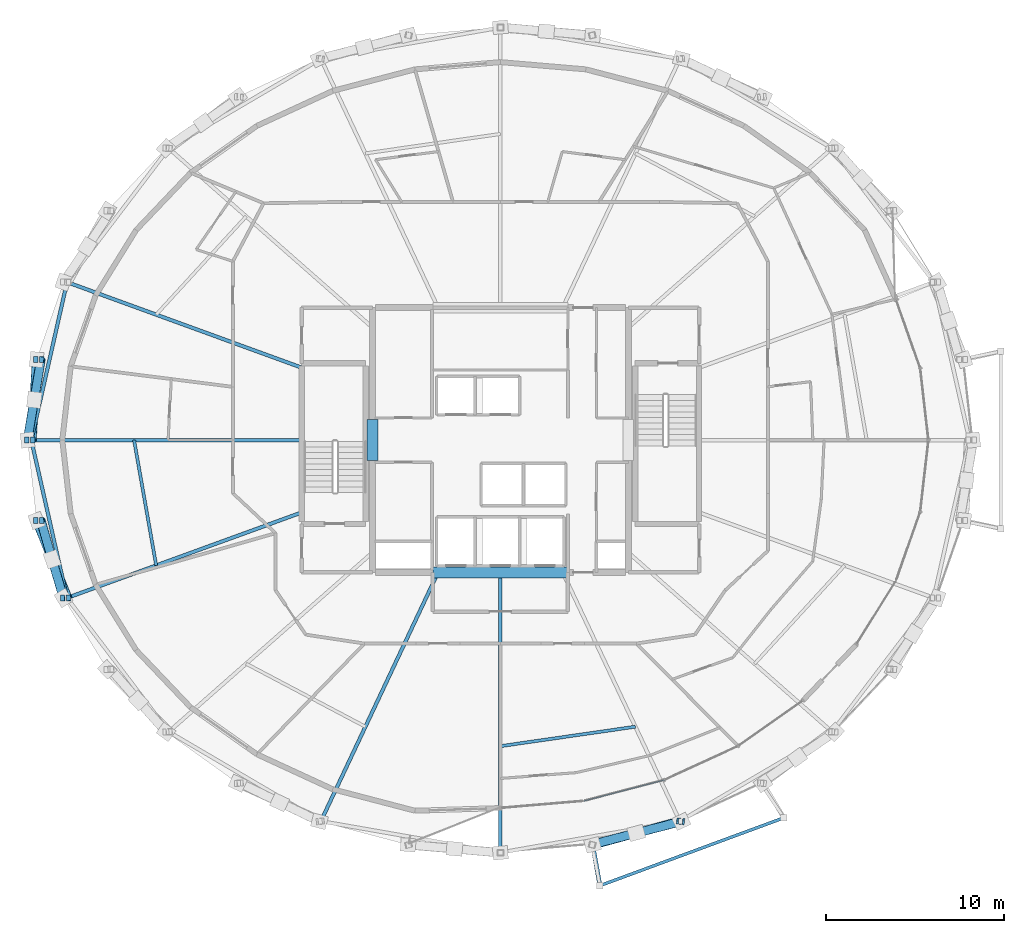
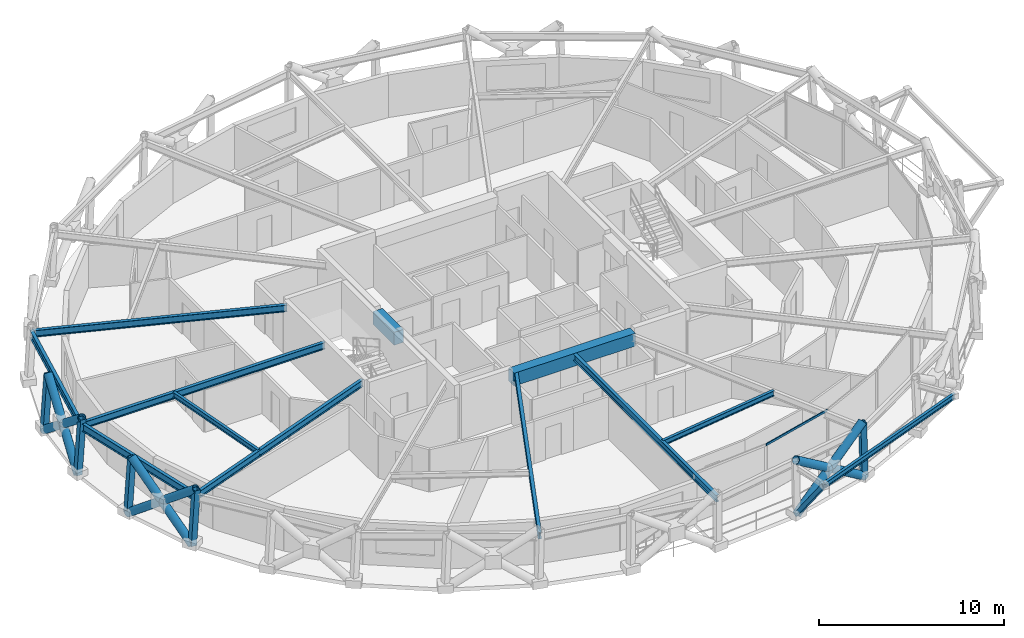
# One storey, part 3 of 17: 16 members, 12 beams, 1 element without a shape of its own.
"""IFC4 building model written with IfcOpenShell, lengths in metres."""

from ifc_helpers import new_model, si_unit, direction, frame, origin, origin_2d, place, context, subcontext, project, spatial, rectangle, hollow_rectangle, hollow_circle, i_section, extrude, material, layer, layer_set, material_profile, profile_set, type_object, element, aggregate, save


model = new_model("IFC4")

# Units and contexts
model_context = context("Model", 3, precision=1e-05, world=origin(), true_north=direction((0.0, 1.0)))
body_context = subcontext(model_context, "Body", "Model", "MODEL_VIEW")
ifc_project = project(units=[si_unit("LENGTHUNIT", "METRE"), si_unit("AREAUNIT", "SQUARE_METRE"), si_unit("VOLUMEUNIT", "CUBIC_METRE"), si_unit("PLANEANGLEUNIT", "RADIAN"), si_unit("MASSUNIT", "GRAM", prefix="KILO")], contexts=[model_context])

# Site, building, storey
site_placement = place(None, origin())
site = spatial("IfcSite", under=ifc_project, at=site_placement, CompositionType="ELEMENT")
building_placement = place(site_placement, origin())
building = spatial("IfcBuilding", under=site, at=building_placement, Name="Veldorina Hangang Commons", CompositionType="ELEMENT")
storey_placement = place(building_placement, frame((0.0, 0.0, 196.39990234375)))
storey = spatial("IfcBuildingStorey", under=building, at=storey_placement, Name="L51", CompositionType="ELEMENT", Elevation=196.39990234375)

# Beams
ifc_material_1 = material(Name="Concrete C60/75", Category="concrete")
ifc_material_profile_1 = material_profile(ifc_material_1, rectangle(XDim=0.60009765625, YDim=0.85009765625, at=origin_2d()), Name="RC-CB-600x850")
ifc_profile_set_1 = profile_set([ifc_material_profile_1], Name="Concrete C60/75")
beam_type_1 = type_object("IfcBeamType", Name="BM-CB850", PredefinedType="LINTEL", material=ifc_profile_set_1)
beam_1_placement = place(storey_placement, frame((24.800048828125, 22.85009765625, 2.925048828125), z_axis=(0.0, 1.0, 0.0), x_axis=(-1.0, 0.0, 0.0)))
element("IfcBeam", 1, at=beam_1_placement, inside=storey, type_object=beam_type_1, Name="L51 W core coupling lintel beam", PredefinedType="LINTEL", context=body_context, shape_type="SweptSolid", body=[
    extrude(rectangle(XDim=0.60009765625, YDim=0.85009765625, at=origin_2d()), origin(), (0.0, 0.0, 1.0), 2.2998046875),
])
beam_2_placement = place(storey_placement, frame((28.199951171875, 16.550048828125, 2.925048828125), z_axis=(1.0, 0.0, 0.0), x_axis=(0.0, 1.0, 0.0)))
element("IfcBeam", 2, at=beam_2_placement, inside=storey, type_object=beam_type_1, Name="L51 south core coupling beam", PredefinedType="LINTEL", context=body_context, shape_type="SweptSolid", body=[
    extrude(rectangle(XDim=0.60009765625, YDim=0.85009765625, at=origin_2d()), origin(), (0.0, 0.0, 1.0), 7.60009765625),
])
ifc_material_2 = material(Name="Steel SM355-TMC", Category="steel")
ifc_material_profile_2 = material_profile(ifc_material_2, i_section(OverallWidth=0.175048828125, OverallDepth=0.35009765625, WebThickness=0.007080078125, FlangeThickness=0.010986328125, FilletRadius=0.012939453125, at=origin_2d()), Name="H-350x175x7x11")
ifc_profile_set_2 = profile_set([ifc_material_profile_2], Name="Steel SM355-TMC")
beam_type_2 = type_object("IfcBeamType", Name="BM-FG350", PredefinedType="BEAM", material=ifc_profile_set_2)
beam_3_placement = place(storey_placement, frame((37.60107421875, -1.073974609375, 3.175048828125), z_axis=(0.938214579168, 0.346054046987, 0.0), x_axis=(-0.346054046987, 0.938214579168, 0.0)))
element("IfcBeam", 3, at=beam_3_placement, inside=storey, type_object=beam_type_2, Name="L52 tree balcony 1 outer rim beam", PredefinedType="BEAM", context=body_context, shape_type="SweptSolid", body=[
    extrude(i_section(OverallWidth=0.175048828125, OverallDepth=0.35009765625, WebThickness=0.007080078125, FlangeThickness=0.010986328125, FilletRadius=0.012939453125, at=origin_2d()), origin(), (0.0, 0.0, 1.0), 11.03125),
])
ifc_material_profile_3 = material_profile(ifc_material_2, i_section(OverallWidth=0.199951171875, OverallDepth=0.449951171875, WebThickness=0.009033203125, FlangeThickness=0.013916015625, FilletRadius=0.01611328125, at=origin_2d()), Name="H-450x200x9x14")
ifc_profile_set_3 = profile_set([ifc_material_profile_3], Name="Steel SM355-TMC")
beam_type_3 = type_object("IfcBeamType", Name="BM-FG450", PredefinedType="BEAM", material=ifc_profile_set_3)
beam_4_placement = place(storey_placement, frame((20.820068359375, 28.0732421875, 3.125), z_axis=(-0.939582271588, 0.34232317321, 0.0), x_axis=(-0.34232317321, -0.939582271588, 0.0)))
element("IfcBeam", 4, at=beam_4_placement, inside=storey, type_object=beam_type_3, Name="L51 radial floor girder 08", PredefinedType="BEAM", context=body_context, shape_type="SweptSolid", body=[
    extrude(i_section(OverallWidth=0.199951171875, OverallDepth=0.449951171875, WebThickness=0.009033203125, FlangeThickness=0.013916015625, FilletRadius=0.01611328125, at=origin_2d()), origin(), (0.0, 0.0, 1.0), 14.055419921875),
])
beam_5_placement = place(storey_placement, frame((20.820068359375, 24.0, 3.125), z_axis=(-1.0, 0.0, 0.0), x_axis=(0.0, -1.0, 0.0)))
element("IfcBeam", 5, at=beam_5_placement, inside=storey, type_object=beam_type_3, Name="L51 radial floor girder 09", PredefinedType="BEAM", context=body_context, shape_type="SweptSolid", body=[
    extrude(i_section(OverallWidth=0.199951171875, OverallDepth=0.449951171875, WebThickness=0.009033203125, FlangeThickness=0.013916015625, FilletRadius=0.01611328125, at=origin_2d()), origin(), (0.0, 0.0, 1.0), 15.215576171875),
])
beam_6_placement = place(storey_placement, frame((20.820068359375, 19.9267578125, 3.125), z_axis=(-0.939582271588, -0.34232317321, 0.0), x_axis=(0.34232317321, -0.939582271588, 0.0)))
element("IfcBeam", 6, at=beam_6_placement, inside=storey, type_object=beam_type_3, Name="L51 radial floor girder 10", PredefinedType="BEAM", context=body_context, shape_type="SweptSolid", body=[
    extrude(i_section(OverallWidth=0.199951171875, OverallDepth=0.449951171875, WebThickness=0.009033203125, FlangeThickness=0.013916015625, FilletRadius=0.01611328125, at=origin_2d()), origin(), (0.0, 0.0, 1.0), 14.055419921875),
])
beam_7_placement = place(storey_placement, frame((28.49169921875, 16.550048828125, 3.125), z_axis=(-0.426043196032, -0.904702821436, 0.0), x_axis=(0.904702821436, -0.426043196032, 0.0)))
element("IfcBeam", 7, at=beam_7_placement, inside=storey, type_object=beam_type_3, Name="L51 radial floor girder 12", PredefinedType="BEAM", context=body_context, shape_type="SweptSolid", body=[
    extrude(i_section(OverallWidth=0.199951171875, OverallDepth=0.449951171875, WebThickness=0.009033203125, FlangeThickness=0.013916015625, FilletRadius=0.01611328125, at=origin_2d()), origin(), (0.0, 0.0, 1.0), 15.474365234375),
])
beam_8_placement = place(storey_placement, frame((32.0, 16.550048828125, 3.125), z_axis=(0.0, -1.0, 0.0), x_axis=(1.0, 0.0, 0.0)))
element("IfcBeam", 8, at=beam_8_placement, inside=storey, type_object=beam_type_3, Name="L51 radial floor girder 13", PredefinedType="BEAM", context=body_context, shape_type="SweptSolid", body=[
    extrude(i_section(OverallWidth=0.199951171875, OverallDepth=0.449951171875, WebThickness=0.009033203125, FlangeThickness=0.013916015625, FilletRadius=0.01611328125, at=origin_2d()), origin(), (0.0, 0.0, 1.0), 15.766845703125),
])
ifc_material_profile_4 = material_profile(ifc_material_2, i_section(OverallWidth=0.175048828125, OverallDepth=0.35009765625, WebThickness=0.007080078125, FlangeThickness=0.010986328125, FilletRadius=0.012939453125, at=origin_2d()), Name="H-350x175x7x11")
ifc_profile_set_4 = profile_set([ifc_material_profile_4], Name="Steel SM355-TMC")
beam_type_4 = type_object("IfcBeamType", Name="BM-JST350", PredefinedType="JOIST", material=ifc_profile_set_4)
beam_9_placement = place(storey_placement, frame((11.386474609375, 24.0, 3.175048828125), z_axis=(0.173833925919, -0.984774982521, 0.0), x_axis=(0.984774982521, 0.173833925919, 0.0)))
element("IfcBeam", 9, at=beam_9_placement, inside=storey, type_object=beam_type_4, Name="L51 secondary floor joist 09", PredefinedType="JOIST", context=body_context, shape_type="SweptSolid", body=[
    extrude(i_section(OverallWidth=0.175048828125, OverallDepth=0.35009765625, WebThickness=0.007080078125, FlangeThickness=0.010986328125, FilletRadius=0.012939453125, at=origin_2d()), origin(), (0.0, 0.0, 1.0), 7.16552734375),
])
beam_10_placement = place(storey_placement, frame((32.0, 6.7744140625, 3.175048828125), z_axis=(0.989755795324, 0.14277067494, 0.0), x_axis=(-0.14277067494, 0.989755795324, 0.0)))
element("IfcBeam", 10, at=beam_10_placement, inside=storey, type_object=beam_type_4, Name="L51 secondary floor joist 13", PredefinedType="JOIST", context=body_context, shape_type="SweptSolid", body=[
    extrude(i_section(OverallWidth=0.175048828125, OverallDepth=0.35009765625, WebThickness=0.007080078125, FlangeThickness=0.010986328125, FilletRadius=0.012939453125, at=origin_2d()), origin(), (0.0, 0.0, 1.0), 7.674560546875),
])
ifc_material_3 = material(Name="Steel SM420-TMC", Category="steel")
ifc_material_profile_5 = material_profile(ifc_material_3, i_section(OverallWidth=0.199951171875, OverallDepth=0.5, WebThickness=0.010009765625, FlangeThickness=0.01611328125, FilletRadius=0.01611328125, at=origin_2d()), Name="H-500x200x10x16")
ifc_profile_set_5 = profile_set([ifc_material_profile_5], Name="Steel SM420-TMC")
beam_type_5 = type_object("IfcBeamType", Name="BM-RB500", PredefinedType="BEAM", material=ifc_profile_set_5)
for number, where, z_axis, x_axis, name in (
    (11, (7.61376953125, 32.884765625, 3.10009765625), (-0.220578394149, -0.975369249072, 0.0), (0.975369249072, -0.220578394149, 0.0), "L51 perimeter hoop ring beam 14"),
    (12, (5.6044921875, 24.0, 3.10009765625), (0.220578394149, -0.975369249072, 0.0), (0.975369249072, 0.220578394149, 0.0), "L51 perimeter hoop ring beam 16"),
):
    element("IfcBeam", number, at=place(storey_placement, frame(where, z_axis=z_axis, x_axis=x_axis)), inside=storey, type_object=beam_type_5, Name=name, PredefinedType="BEAM", context=body_context, shape_type="SweptSolid", body=[
        extrude(i_section(OverallWidth=0.199951171875, OverallDepth=0.5, WebThickness=0.010009765625, FlangeThickness=0.01611328125, FilletRadius=0.01611328125, at=origin_2d()), origin(), (0.0, 0.0, 1.0), 9.109130859375),
    ])

# Curtain wall, member
ifc_material_4 = material(Name="Glass Low-E Triple IGU", Category="glass")
ifc_layer = layer(ifc_material_4, 0.179931640625)
ifc_layer_set = layer_set([ifc_layer], Name="Glass Low-E Triple IGU")
curtain_wall_type = type_object("IfcCurtainWallType", Name="CW-SYS-Z2", PredefinedType="NOTDEFINED", material=ifc_layer_set)
curtain_wall_placement = place(storey_placement, origin())
curtain_wall = element("IfcCurtainWall", 13, at=curtain_wall_placement, inside=storey, type_object=curtain_wall_type, Name="L51 unitised curtain wall CW-L51-R1", PredefinedType="NOTDEFINED")
ifc_material_5 = material(Name="Aluminium Anodized AA6063-T6", Category="aluminium")
ifc_material_profile_6 = material_profile(ifc_material_5, hollow_rectangle(XDim=0.06005859375, YDim=0.139892578125, WallThickness=0.00341796875, at=origin_2d()), Name="ALU-RHS-140x60x3.5")
ifc_profile_set_6 = profile_set([ifc_material_profile_6], Name="Aluminium Anodized AA6063-T6")
member_type_1 = type_object("IfcMemberType", Name="CW-TRN-140", PredefinedType="USERDEFINED", material=ifc_profile_set_6)
member_1_placement = place(storey_placement, frame((36.7001953125, 3.690673828125, 3.27001953125), z_axis=(0.96765501031, 0.252277190846, 0.0), x_axis=(-0.252277190846, 0.96765501031, 0.0)))
member_1 = element("IfcMember", 14, at=member_1_placement, type_object=member_type_1, Name="CW-L51-R1 facet 2 transom 1", ObjectType="TRANSOM", PredefinedType="USERDEFINED", context=body_context, shape_type="SweptSolid", body=[
    extrude(hollow_rectangle(XDim=0.06005859375, YDim=0.139892578125, WallThickness=0.00341796875, at=origin_2d()), origin(), (0.0, 0.0, 1.0), 4.67041015625),
])
aggregate(curtain_wall, [member_1])

# Members
ifc_material_profile_7 = material_profile(ifc_material_3, hollow_circle(Radius=0.25, WallThickness=0.02490234375, at=origin_2d()), Name="CHS-500x25")
ifc_profile_set_7 = profile_set([ifc_material_profile_7], Name="Steel SM420-TMC")
member_type_2 = type_object("IfcMemberType", Name="DG-CHS500", PredefinedType="BRACE", material=ifc_profile_set_7)
member_2_placement = place(storey_placement, frame((5.8994140625, 28.531494140625, 0.0), z_axis=(-0.044880832892, -0.782190741126, 0.621420433632), x_axis=(0.998357914638, -0.057284153822, 0.0)))
element("IfcMember", 15, at=member_2_placement, inside=storey, type_object=member_type_2, Name="L51 continuous perimeter diagrid brace 15", PredefinedType="BRACE", context=body_context, shape_type="SweptSolid", body=[
    extrude(hollow_circle(Radius=0.25, WallThickness=0.02490234375, at=origin_2d()), origin(), (0.0, 0.0, 1.0), 5.79345703125),
])
member_3_placement = place(storey_placement, frame((5.38818359375, 24.0, 0.0), z_axis=(0.130580839193, 0.776040003329, 0.6170174695), x_axis=(-0.986137038279, 0.16593294349, 0.0)))
element("IfcMember", 16, at=member_3_placement, inside=storey, type_object=member_type_2, Name="L51 split perimeter diagrid lower brace 16", PredefinedType="BRACE", context=body_context, shape_type="SweptSolid", body=[
    extrude(hollow_circle(Radius=0.25, WallThickness=0.02490234375, at=origin_2d()), origin(), (0.0, 0.0, 1.0), 2.91845703125),
])
member_4_placement = place(storey_placement, frame((5.769287109375, 26.264892578125, 1.80078125), z_axis=(0.129165520212, 0.776332491542, 0.61694742966), x_axis=(-0.986439881408, 0.164123003775, 0.0)))
element("IfcMember", 17, at=member_4_placement, inside=storey, type_object=member_type_2, Name="L51 split perimeter diagrid upper brace 16", PredefinedType="BRACE", context=body_context, shape_type="SweptSolid", body=[
    extrude(hollow_circle(Radius=0.25, WallThickness=0.02490234375, at=origin_2d()), origin(), (0.0, 0.0, 1.0), 2.91650390625),
])
member_5_placement = place(storey_placement, frame((5.8994140625, 19.468505859375, 0.0), z_axis=(0.295412634281, -0.736177864686, 0.608911756376), x_axis=(0.928066853742, 0.372413634265, 0.0)))
element("IfcMember", 18, at=member_5_placement, inside=storey, type_object=member_type_2, Name="L51 continuous perimeter diagrid brace 17", PredefinedType="BRACE", context=body_context, shape_type="SweptSolid", body=[
    extrude(hollow_circle(Radius=0.25, WallThickness=0.02490234375, at=origin_2d()), origin(), (0.0, 0.0, 1.0), 5.912353515625),
])
member_6_placement = place(storey_placement, frame((7.413818359375, 15.111328125, 0.0), z_axis=(-0.220893906281, 0.751696152291, 0.621416749693), x_axis=(-0.959432226434, -0.281939360289, 0.0)))
element("IfcMember", 19, at=member_6_placement, inside=storey, type_object=member_type_2, Name="L51 split perimeter diagrid lower brace 18", PredefinedType="BRACE", context=body_context, shape_type="SweptSolid", body=[
    extrude(hollow_circle(Radius=0.25, WallThickness=0.02490234375, at=origin_2d()), origin(), (0.0, 0.0, 1.0), 2.89892578125),
])
member_7_placement = place(storey_placement, frame((6.7734375, 17.29052734375, 1.801513671875), z_axis=(-0.216709601771, 0.753086946855, 0.621206084143), x_axis=(-0.961002484027, -0.276539736194, 0.0)))
element("IfcMember", 20, at=member_7_placement, inside=storey, type_object=member_type_2, Name="L51 split perimeter diagrid upper brace 18", PredefinedType="BRACE", context=body_context, shape_type="SweptSolid", body=[
    extrude(hollow_circle(Radius=0.25, WallThickness=0.02490234375, at=origin_2d()), origin(), (0.0, 0.0, 1.0), 2.895263671875),
])
member_8_placement = place(storey_placement, frame((37.191650390625, 1.218994140625, 0.0), z_axis=(0.786934353182, 0.214254591023, 0.578644358832), x_axis=(-0.262702121092, 0.964876984684, 0.0)))
element("IfcMember", 21, at=member_8_placement, inside=storey, type_object=member_type_2, Name="L51 continuous perimeter diagrid brace 25", PredefinedType="BRACE", context=body_context, shape_type="SweptSolid", body=[
    extrude(hollow_circle(Radius=0.25, WallThickness=0.02490234375, at=origin_2d()), origin(), (0.0, 0.0, 1.0), 6.2216796875),
])
member_9_placement = place(storey_placement, frame((42.183837890625, 2.540771484375, 0.0), z_axis=(-0.796623827357, -0.205144455156, 0.568600237606), x_axis=(0.249381190538, -0.968405401578, 0.0)))
element("IfcMember", 22, at=member_9_placement, inside=storey, type_object=member_type_2, Name="L51 split perimeter diagrid lower brace 26", PredefinedType="BRACE", context=body_context, shape_type="SweptSolid", body=[
    extrude(hollow_circle(Radius=0.25, WallThickness=0.02490234375, at=origin_2d()), origin(), (0.0, 0.0, 1.0), 3.179931640625),
])
member_10_placement = place(storey_placement, frame((39.650634765625, 1.888427734375, 1.80810546875), z_axis=(-0.795753396541, -0.208601566912, 0.56856127038), x_axis=(0.253575481187, -0.967315602759, 0.0)))
element("IfcMember", 23, at=member_10_placement, inside=storey, type_object=member_type_2, Name="L51 split perimeter diagrid upper brace 26", PredefinedType="BRACE", context=body_context, shape_type="SweptSolid", body=[
    extrude(hollow_circle(Radius=0.25, WallThickness=0.02490234375, at=origin_2d()), origin(), (0.0, 0.0, 1.0), 3.15185546875),
])
ifc_material_profile_8 = material_profile(ifc_material_2, hollow_rectangle(XDim=0.25, YDim=0.25, WallThickness=0.011962890625, at=origin_2d()), Name="SHS-250x250x12")
ifc_profile_set_8 = profile_set([ifc_material_profile_8], Name="Steel SM355-TMC")
member_type_3 = type_object("IfcMemberType", Name="STR-SHS250", PredefinedType="STRUT", material=ifc_profile_set_8)
member_11_placement = place(storey_placement, frame((37.191650390625, 1.218994140625, 0.0), z_axis=(0.103972733766, -0.582296908484, 0.806300180456), x_axis=(0.984430166645, 0.175776127498, 0.0)))
element("IfcMember", 24, at=member_11_placement, inside=storey, type_object=member_type_3, Name="L52 tree balcony 1 raking knee strut A", PredefinedType="STRUT", context=body_context, shape_type="SweptSolid", body=[
    extrude(hollow_rectangle(XDim=0.25, YDim=0.25, WallThickness=0.011962890625, at=origin_2d()), origin(), (0.0, 0.0, 1.0), 3.937744140625),
])
ifc_material_profile_9 = material_profile(ifc_material_2, hollow_rectangle(XDim=0.35009765625, YDim=0.35009765625, WallThickness=0.01611328125, at=origin_2d()), Name="SHS-350x350x16")
ifc_profile_set_9 = profile_set([ifc_material_profile_9], Name="Steel SM355-TMC")
member_type_4 = type_object("IfcMemberType", Name="STR-SHS350", PredefinedType="STRUT", material=ifc_profile_set_9)
member_12_placement = place(storey_placement, frame((5.8994140625, 28.531494140625, 0.0), z_axis=(0.06833303677, -0.00067656472, 0.997662336838), x_axis=(0.00990050484, 0.999950988801, 0.0)))
element("IfcMember", 25, at=member_12_placement, inside=storey, type_object=member_type_4, Name="L51 perimeter ring node post 15", PredefinedType="STRUT", context=body_context, shape_type="SweptSolid", body=[
    extrude(hollow_rectangle(XDim=0.35009765625, YDim=0.35009765625, WallThickness=0.01611328125, at=origin_2d()), origin(), (0.0, 0.0, 1.0), 3.608642578125),
])
member_13_placement = place(storey_placement, frame((5.38818359375, 24.0, 0.0), z_axis=(0.06961235366, 0.0, 0.997574117656), x_axis=(0.0, 1.0, 0.0)))
element("IfcMember", 26, at=member_13_placement, inside=storey, type_object=member_type_4, Name="L51 perimeter ring node post 16", PredefinedType="STRUT", context=body_context, shape_type="SweptSolid", body=[
    extrude(hollow_rectangle(XDim=0.35009765625, YDim=0.35009765625, WallThickness=0.01611328125, at=origin_2d()), origin(), (0.0, 0.0, 1.0), 3.60888671875),
])
member_14_placement = place(storey_placement, frame((5.8994140625, 19.468505859375, 0.0), z_axis=(0.06833303677, 0.00067656472, 0.997662336838), x_axis=(-0.00990050484, 0.999950988801, 0.0)))
element("IfcMember", 27, at=member_14_placement, inside=storey, type_object=member_type_4, Name="L51 perimeter ring node post 17", PredefinedType="STRUT", context=body_context, shape_type="SweptSolid", body=[
    extrude(hollow_rectangle(XDim=0.35009765625, YDim=0.35009765625, WallThickness=0.01611328125, at=origin_2d()), origin(), (0.0, 0.0, 1.0), 3.608642578125),
])
member_15_placement = place(storey_placement, frame((7.413818359375, 15.111328125, 0.0), z_axis=(0.064358310815, 0.001285812729, 0.997926026574), x_axis=(-0.019974983304, 0.999800480117, 0.0)))
element("IfcMember", 28, at=member_15_placement, inside=storey, type_object=member_type_4, Name="L51 perimeter ring node post 18", PredefinedType="STRUT", context=body_context, shape_type="SweptSolid", body=[
    extrude(hollow_rectangle(XDim=0.35009765625, YDim=0.35009765625, WallThickness=0.01611328125, at=origin_2d()), origin(), (0.0, 0.0, 1.0), 3.607666015625),
])
member_16_placement = place(storey_placement, frame((42.183837890625, 2.540771484375, 0.0), z_axis=(-0.026709447975, 0.003118361946, 0.999638375218), x_axis=(-0.115963602348, -0.993253463588, 0.0)))
element("IfcMember", 29, at=member_16_placement, inside=storey, type_object=member_type_4, Name="L51 perimeter ring node post 26", PredefinedType="STRUT", context=body_context, shape_type="SweptSolid", body=[
    extrude(hollow_rectangle(XDim=0.35009765625, YDim=0.35009765625, WallThickness=0.01611328125, at=origin_2d()), origin(), (0.0, 0.0, 1.0), 3.601318359375),
])

save(model, "model.ifc")
